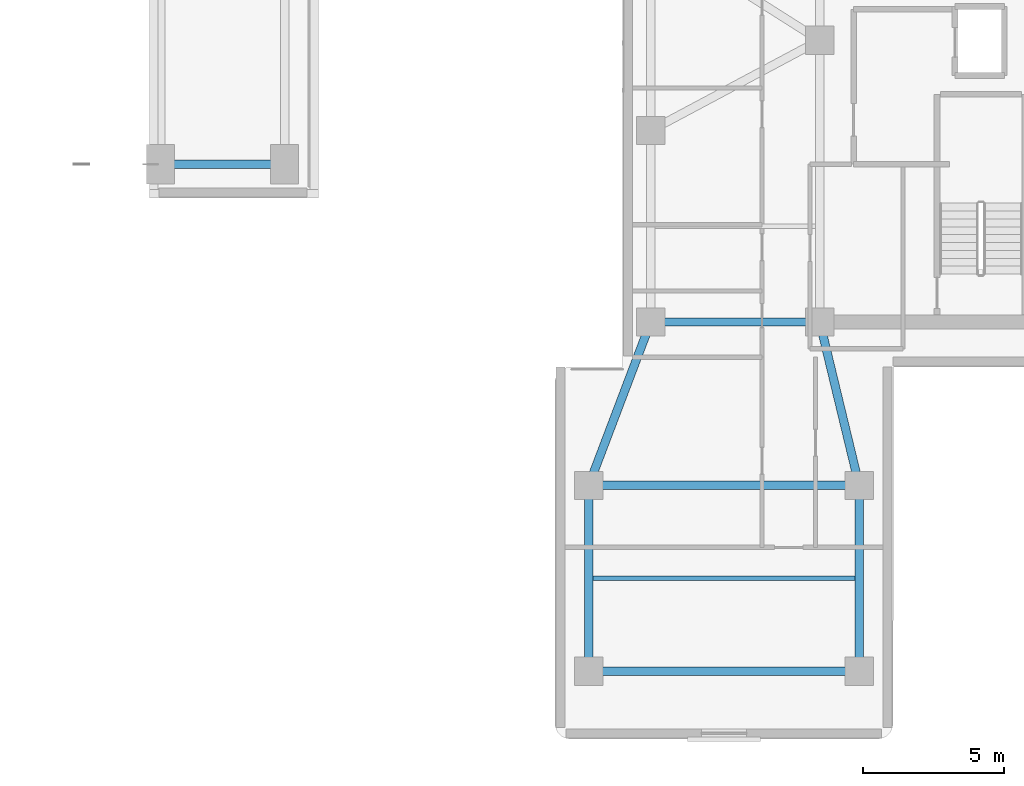
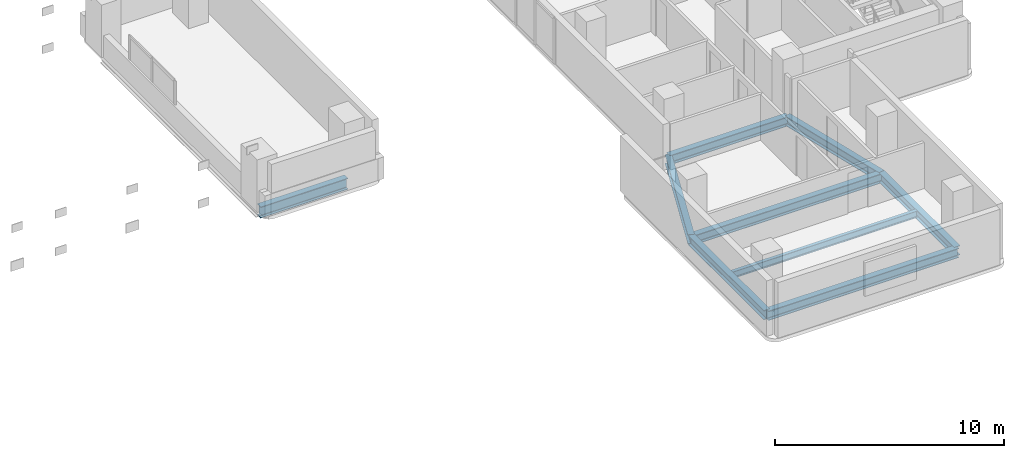
# One storey, part 3 of 14: 9 beams.
"""IFC4 building model written with IfcOpenShell, lengths in metres."""

from ifc_helpers import new_model, si_unit, direction, frame, origin, origin_2d, place, context, subcontext, project, spatial, i_section, extrude, material, material_profile, profile_set, type_object, element, save


model = new_model("IFC4")

# Units and contexts
model_context = context("Model", 3, precision=1e-05, world=origin(), true_north=direction((0.0, 1.0)))
body_context = subcontext(model_context, "Body", "Model", "MODEL_VIEW")
ifc_project = project(units=[si_unit("LENGTHUNIT", "METRE"), si_unit("AREAUNIT", "SQUARE_METRE"), si_unit("VOLUMEUNIT", "CUBIC_METRE"), si_unit("PLANEANGLEUNIT", "RADIAN"), si_unit("MASSUNIT", "GRAM", prefix="KILO")], contexts=[model_context])

# Site, building, storey
site_placement = place(None, origin())
site = spatial("IfcSite", under=ifc_project, at=site_placement, CompositionType="ELEMENT")
building_placement = place(site_placement, origin())
building = spatial("IfcBuilding", under=site, at=building_placement, Name="Kuzgunbayir Cultural Tower", CompositionType="ELEMENT")
storey_placement = place(building_placement, frame((0.0, 0.0, 36.60009765625)))
storey = spatial("IfcBuildingStorey", under=building, at=storey_placement, Name="L09", CompositionType="ELEMENT", Elevation=36.60009765625)

# Beams
ifc_material = material(Name="Steel S355J2", Category="steel")
ifc_material_profile_1 = material_profile(ifc_material, i_section(OverallWidth=0.300048828125, OverallDepth=0.5, WebThickness=0.014404296875, FlangeThickness=0.028076171875, FilletRadius=0.027099609375, at=origin_2d()), Name="HEB 500")
ifc_profile_set_1 = profile_set([ifc_material_profile_1], Name="Steel S355J2")
beam_type_1 = type_object("IfcBeamType", Name="BM-EXT-HEB500", PredefinedType="BEAM", material=ifc_profile_set_1)
beam_1_placement = place(storey_placement, frame((56.39990234375, 9.60009765625, -0.43017578125), z_axis=(0.0, 1.0, 0.0), x_axis=(-1.0, 0.0, 0.0)))
element("IfcBeam", 1, at=beam_1_placement, inside=storey, type_object=beam_type_1, Name="L09 Companion Wing B West Girder", PredefinedType="BEAM", context=body_context, shape_type="SweptSolid", body=[
    extrude(i_section(OverallWidth=0.300048828125, OverallDepth=0.5, WebThickness=0.014404296875, FlangeThickness=0.028076171875, FilletRadius=0.027099609375, at=origin_2d()), origin(), (0.0, 0.0, 1.0), 6.599853515625),
])
beam_2_placement = place(storey_placement, frame((56.39990234375, 16.199951171875, -0.43017578125), z_axis=(0.354679148754, 0.93498807556, 0.0), x_axis=(-0.93498807556, 0.354679148754, 0.0)))
element("IfcBeam", 2, at=beam_2_placement, inside=storey, type_object=beam_type_1, Name="L09 Companion Wing B Floor Girder W", PredefinedType="BEAM", context=body_context, shape_type="SweptSolid", body=[
    extrude(i_section(OverallWidth=0.300048828125, OverallDepth=0.5, WebThickness=0.014404296875, FlangeThickness=0.028076171875, FilletRadius=0.027099609375, at=origin_2d()), origin(), (0.0, 0.0, 1.0), 6.203369140625),
])
beam_3_placement = place(storey_placement, frame((66.0, 9.60009765625, -0.43017578125), z_axis=(0.0, 1.0, 0.0), x_axis=(-1.0, 0.0, 0.0)))
element("IfcBeam", 3, at=beam_3_placement, inside=storey, type_object=beam_type_1, Name="L09 Companion Wing B East Girder", PredefinedType="BEAM", context=body_context, shape_type="SweptSolid", body=[
    extrude(i_section(OverallWidth=0.300048828125, OverallDepth=0.5, WebThickness=0.014404296875, FlangeThickness=0.028076171875, FilletRadius=0.027099609375, at=origin_2d()), origin(), (0.0, 0.0, 1.0), 6.599853515625),
])
beam_4_placement = place(storey_placement, frame((66.0, 16.199951171875, -0.43017578125), z_axis=(-0.234623200431, 0.972086392158, 0.0), x_axis=(-0.972086392158, -0.234623200431, 0.0)))
element("IfcBeam", 4, at=beam_4_placement, inside=storey, type_object=beam_type_1, Name="L09 Companion Wing B Floor Girder E", PredefinedType="BEAM", context=body_context, shape_type="SweptSolid", body=[
    extrude(i_section(OverallWidth=0.300048828125, OverallDepth=0.5, WebThickness=0.014404296875, FlangeThickness=0.028076171875, FilletRadius=0.027099609375, at=origin_2d()), origin(), (0.0, 0.0, 1.0), 5.966552734375),
])
beam_5_placement = place(storey_placement, frame((56.39990234375, 9.60009765625, -0.43017578125), z_axis=(1.0, 0.0, 0.0), x_axis=(0.0, 1.0, 0.0)))
element("IfcBeam", 5, at=beam_5_placement, inside=storey, type_object=beam_type_1, Name="L09 Companion Wing B South Girder", PredefinedType="BEAM", context=body_context, shape_type="SweptSolid", body=[
    extrude(i_section(OverallWidth=0.300048828125, OverallDepth=0.5, WebThickness=0.014404296875, FlangeThickness=0.028076171875, FilletRadius=0.027099609375, at=origin_2d()), origin(), (0.0, 0.0, 1.0), 9.60009765625),
])
ifc_material_profile_2 = material_profile(ifc_material, i_section(OverallWidth=0.300048828125, OverallDepth=0.60009765625, WebThickness=0.015380859375, FlangeThickness=0.030029296875, FilletRadius=0.027099609375, at=origin_2d()), Name="HEB 600")
ifc_profile_set_2 = profile_set([ifc_material_profile_2], Name="Steel S355J2")
beam_type_2 = type_object("IfcBeamType", Name="BM-EXT-HEB600", PredefinedType="BEAM", material=ifc_profile_set_2)
beam_6_placement = place(storey_placement, frame((41.199951171875, 27.60009765625, -0.52001953125), z_axis=(1.0, 0.0, 0.0), x_axis=(0.0, 1.0, 0.0)))
element("IfcBeam", 6, at=beam_6_placement, inside=storey, type_object=beam_type_2, Name="L09 Portal Pier South Girder", PredefinedType="BEAM", context=body_context, shape_type="SweptSolid", body=[
    extrude(i_section(OverallWidth=0.300048828125, OverallDepth=0.60009765625, WebThickness=0.015380859375, FlangeThickness=0.030029296875, FilletRadius=0.027099609375, at=origin_2d()), origin(), (0.0, 0.0, 1.0), 4.400146484375),
])
ifc_material_profile_3 = material_profile(ifc_material, i_section(OverallWidth=0.300048828125, OverallDepth=0.5, WebThickness=0.014404296875, FlangeThickness=0.028076171875, FilletRadius=0.027099609375, at=origin_2d()), Name="HEB 500")
ifc_profile_set_3 = profile_set([ifc_material_profile_3], Name="Steel S355J2")
beam_type_3 = type_object("IfcBeamType", Name="BM-GIR-HEB500", PredefinedType="BEAM", material=ifc_profile_set_3)
beam_7_placement = place(storey_placement, frame((58.60009765625, 22.0, -0.43017578125), z_axis=(1.0, 0.0, 0.0), x_axis=(0.0, 1.0, 0.0)))
element("IfcBeam", 7, at=beam_7_placement, inside=storey, type_object=beam_type_3, Name="L09 Companion Transverse Girder 1", PredefinedType="BEAM", context=body_context, shape_type="SweptSolid", body=[
    extrude(i_section(OverallWidth=0.300048828125, OverallDepth=0.5, WebThickness=0.014404296875, FlangeThickness=0.028076171875, FilletRadius=0.027099609375, at=origin_2d()), origin(), (0.0, 0.0, 1.0), 6.0),
])
beam_8_placement = place(storey_placement, frame((56.39990234375, 16.199951171875, -0.43017578125), z_axis=(1.0, 0.0, 0.0), x_axis=(0.0, 1.0, 0.0)))
element("IfcBeam", 8, at=beam_8_placement, inside=storey, type_object=beam_type_3, Name="L09 Companion Wing B Mid Girder", PredefinedType="BEAM", context=body_context, shape_type="SweptSolid", body=[
    extrude(i_section(OverallWidth=0.300048828125, OverallDepth=0.5, WebThickness=0.014404296875, FlangeThickness=0.028076171875, FilletRadius=0.027099609375, at=origin_2d()), origin(), (0.0, 0.0, 1.0), 9.60009765625),
])
ifc_material_profile_4 = material_profile(ifc_material, i_section(OverallWidth=0.169921875, OverallDepth=0.360107421875, WebThickness=0.008056640625, FlangeThickness=0.0126953125, FilletRadius=0.01806640625, at=origin_2d()), Name="IPE 360")
ifc_profile_set_4 = profile_set([ifc_material_profile_4], Name="Steel S355J2")
beam_type_4 = type_object("IfcBeamType", Name="BM-JST-IPE360", PredefinedType="JOIST", material=ifc_profile_set_4)
beam_9_placement = place(storey_placement, frame((56.550048828125, 12.89990234375, -0.360107421875), z_axis=(1.0, 0.0, 0.0), x_axis=(0.0, 1.0, 0.0)))
element("IfcBeam", 9, at=beam_9_placement, inside=storey, type_object=beam_type_4, Name="L09 Companion Wing B Joist", PredefinedType="JOIST", context=body_context, shape_type="SweptSolid", body=[
    extrude(i_section(OverallWidth=0.169921875, OverallDepth=0.360107421875, WebThickness=0.008056640625, FlangeThickness=0.0126953125, FilletRadius=0.01806640625, at=origin_2d()), origin(), (0.0, 0.0, 1.0), 9.300048828125),
])

save(model, "model.ifc")
